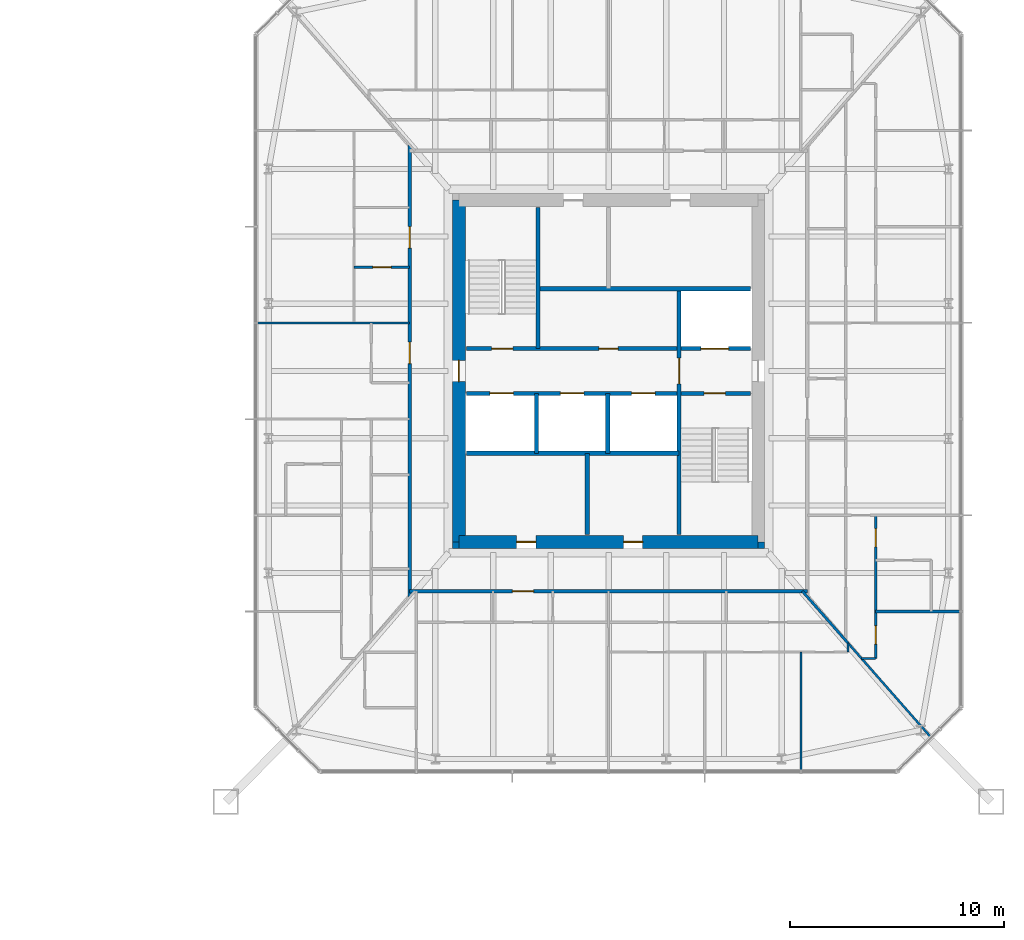
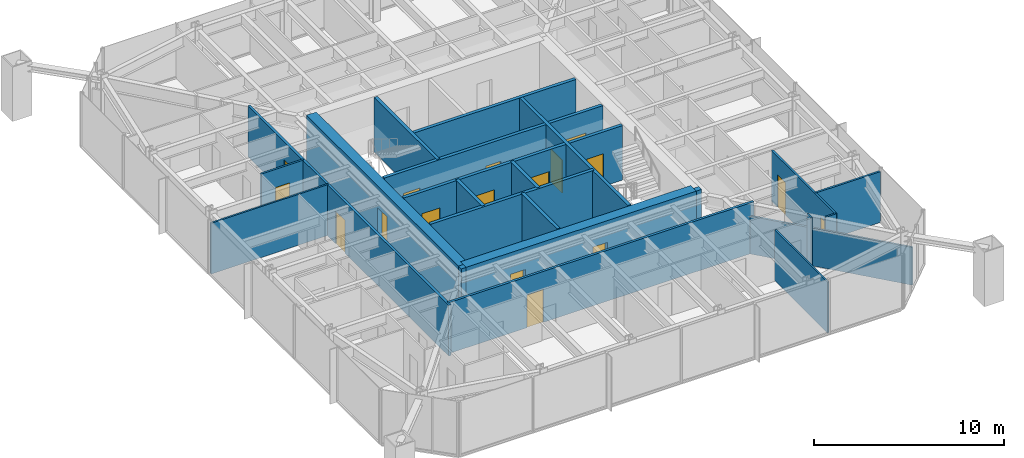
# One storey, part 19 of 26: 24 walls, 17 doors, 17 openings.
"""IFC4 building model written with IfcOpenShell, lengths in metres."""

from ifc_helpers import new_model, si_unit, direction, frame, frame_2d, origin, place, context, subcontext, project, spatial, rectangle, extrude, material, layer, layer_set, type_object, element, fill, save


model = new_model("IFC4")

# Units and contexts
model_context = context("Model", 3, precision=1e-05, world=origin(), true_north=direction((0.0, 1.0)))
body_context = subcontext(model_context, "Body", "Model", "MODEL_VIEW")
ifc_project = project(units=[si_unit("LENGTHUNIT", "METRE"), si_unit("AREAUNIT", "SQUARE_METRE"), si_unit("VOLUMEUNIT", "CUBIC_METRE"), si_unit("PLANEANGLEUNIT", "RADIAN"), si_unit("MASSUNIT", "GRAM", prefix="KILO")], contexts=[model_context])

# Site, building, storey
site_placement = place(None, origin())
site = spatial("IfcSite", under=ifc_project, at=site_placement, CompositionType="ELEMENT")
building_placement = place(site_placement, origin())
building = spatial("IfcBuilding", under=site, at=building_placement, Name="Iwan Alto Co-Living Towers", CompositionType="ELEMENT")
storey_placement = place(building_placement, frame((0.0, 0.0, 50.0)))
storey = spatial("IfcBuildingStorey", under=building, at=storey_placement, Name="L13", CompositionType="ELEMENT", Elevation=50.0)

# Wall, opening, door
ifc_material_1 = material(Name="Gypsum board")
ifc_layer_1 = layer(ifc_material_1, 0.02490234375, Name="Board", Category="Finish")
ifc_material_2 = material(Name="Steel ASTM A1003 ST33H cold-formed studs", Category="steel")
ifc_layer_2 = layer(ifc_material_2, 0.10009765625, Name="Studs", Category="Framing")
ifc_layer_3 = layer(ifc_material_1, 0.02490234375, Name="Board", Category="Finish")
ifc_layer_set_1 = layer_set([ifc_layer_1, ifc_layer_2, ifc_layer_3], Name="CORRIDOR WALL 150")
wall_type_1 = type_object("IfcWallType", Name="CORRIDOR WALL 150", PredefinedType="PARTITIONING", material=ifc_layer_set_1)
wall_1_placement = place(storey_placement, frame((53.699951171875, -10.300048828125, 0.0), z_axis=(0.0, 0.0, 1.0), x_axis=(1.0, 0.0, 0.0)))
wall_1 = element("IfcWall", 1, at=wall_1_placement, inside=storey, type_object=wall_type_1, Name="Partition L13", PredefinedType="PARTITIONING", context=body_context, shape_type="SweptSolid", body=[
    extrude(rectangle(XDim=18.60009765625, YDim=0.14990234375, at=frame_2d((9.300048828125, 0.0))), origin(), (0.0, 0.0, 1.0), 3.27001953125),
])
opening_1_placement = place(wall_1_placement, frame((4.800048828125, 0.0, 0.0)))
opening_1 = element("IfcOpeningElement", 2, at=opening_1_placement, cuts=wall_1, Name="Opening D3", PredefinedType="OPENING", context=body_context, shape_type="SweptSolid", body=[
    extrude(rectangle(XDim=1.0, YDim=2.10009765625, at=frame_2d((0.5, 1.050048828125))), frame((0.0, 0.0849609375, 0.0), z_axis=(0.0, -1.0, 0.0), x_axis=(1.0, 0.0, 0.0)), (0.0, 0.0, 1.0), 0.169921875),
])
ifc_material_3 = material(Name="Steel frame with timber leaf", Category="steel")
door_type_1 = type_object("IfcDoorType", Name="FLAT ENTRANCE DOOR FD30S 1000X2100", OperationType="SINGLE_SWING_LEFT", PredefinedType="DOOR", material=ifc_material_3)
door_1_placement = place(opening_1_placement, frame((1.0, 0.0, 0.0), z_axis=(0.0, 0.0, 1.0), x_axis=(-1.0, 0.0, 0.0)))
door_1 = element("IfcDoor", 3, at=door_1_placement, inside=storey, type_object=door_type_1, Name="Apartment foyer door L13", OperationType="SINGLE_SWING_RIGHT", OverallHeight=2.10009765625, OverallWidth=1.0, PredefinedType="DOOR", context=body_context, shape_type="SweptSolid", body=[
    extrude(rectangle(XDim=1.0, YDim=2.10009765625, at=frame_2d((0.5, 1.050048828125))), frame((0.0, 0.02490234375, 0.0), z_axis=(0.0, -1.0, 0.0), x_axis=(1.0, 0.0, 0.0)), (0.0, 0.0, 1.0), 0.050048828125),
])
fill(opening_1, door_1)

# Wall, openings, doors
wall_2_placement = place(storey_placement, frame((53.699951171875, -10.568115234375, 0.0), z_axis=(0.0, 0.0, 1.0), x_axis=(0.0, 1.0, 0.0)))
wall_2 = element("IfcWall", 4, at=wall_2_placement, inside=storey, type_object=wall_type_1, Name="Partition L13", PredefinedType="PARTITIONING", context=body_context, shape_type="SweptSolid", body=[
    extrude(rectangle(XDim=21.13623046875, YDim=0.14990234375, at=frame_2d((10.568115234375, 0.0))), origin(), (0.0, 0.0, 1.0), 3.27001953125),
])
opening_2_placement = place(wall_2_placement, frame((16.318115234375, 0.0, 0.0)))
opening_2 = element("IfcOpeningElement", 5, at=opening_2_placement, cuts=wall_2, Name="Opening D3", PredefinedType="OPENING", context=body_context, shape_type="SweptSolid", body=[
    extrude(rectangle(XDim=1.0, YDim=2.10009765625, at=frame_2d((0.5, 1.050048828125))), frame((0.0, 0.0849609375, 0.0), z_axis=(0.0, -1.0, 0.0), x_axis=(1.0, 0.0, 0.0)), (0.0, 0.0, 1.0), 0.169921875),
])
opening_3_placement = place(wall_2_placement, frame((10.91796875, 0.0, 0.0)))
opening_3 = element("IfcOpeningElement", 6, at=opening_3_placement, cuts=wall_2, Name="Opening D3", PredefinedType="OPENING", context=body_context, shape_type="SweptSolid", body=[
    extrude(rectangle(XDim=1.0, YDim=2.10009765625, at=frame_2d((0.5, 1.050048828125))), frame((0.0, 0.0849609375, 0.0), z_axis=(0.0, -1.0, 0.0), x_axis=(1.0, 0.0, 0.0)), (0.0, 0.0, 1.0), 0.169921875),
])
door_2_placement = place(opening_2_placement, origin())
door_2 = element("IfcDoor", 7, at=door_2_placement, inside=storey, type_object=door_type_1, Name="Apartment foyer door L13", OperationType="SINGLE_SWING_LEFT", OverallHeight=2.10009765625, OverallWidth=1.0, PredefinedType="DOOR", context=body_context, shape_type="SweptSolid", body=[
    extrude(rectangle(XDim=1.0, YDim=2.10009765625, at=frame_2d((0.5, 1.050048828125))), frame((0.0, 0.02490234375, 0.0), z_axis=(0.0, -1.0, 0.0), x_axis=(1.0, 0.0, 0.0)), (0.0, 0.0, 1.0), 0.050048828125),
])
fill(opening_2, door_2)
door_3_placement = place(opening_3_placement, origin())
door_3 = element("IfcDoor", 8, at=door_3_placement, inside=storey, type_object=door_type_1, Name="Apartment foyer door L13", OperationType="SINGLE_SWING_LEFT", OverallHeight=2.10009765625, OverallWidth=1.0, PredefinedType="DOOR", context=body_context, shape_type="SweptSolid", body=[
    extrude(rectangle(XDim=1.0, YDim=2.10009765625, at=frame_2d((0.5, 1.050048828125))), frame((0.0, 0.02490234375, 0.0), z_axis=(0.0, -1.0, 0.0), x_axis=(1.0, 0.0, 0.0)), (0.0, 0.0, 1.0), 0.050048828125),
])
fill(opening_3, door_3)

# Walls
ifc_layer_4 = layer(ifc_material_1, 0.012451171875, Name="Board", Category="Finish")
ifc_layer_5 = layer(ifc_material_2, 0.074951171875, Name="Studs", Category="Framing")
ifc_layer_6 = layer(ifc_material_1, 0.012451171875, Name="Board", Category="Finish")
ifc_layer_set_2 = layer_set([ifc_layer_4, ifc_layer_5, ifc_layer_6], Name="PARTITION 100")
wall_type_2 = type_object("IfcWallType", Name="PARTITION 100", PredefinedType="PARTITIONING", material=ifc_layer_set_2)
wall_3_placement = place(storey_placement, frame((74.8359375, -13.449951171875, 0.0), z_axis=(0.0, 0.0, 1.0), x_axis=(1.0, 0.0, 0.0)))
element("IfcWall", 9, at=wall_3_placement, inside=storey, type_object=wall_type_2, Name="Partition L13", PredefinedType="PARTITIONING", context=body_context, shape_type="SweptSolid", body=[
    extrude(rectangle(XDim=0.6640625, YDim=0.10009765625, at=frame_2d((0.33203125, 0.0))), origin(), (0.0, 0.0, 1.0), 3.27001953125),
])
wall_4_placement = place(storey_placement, frame((46.56005859375, 2.25, 0.0), z_axis=(0.0, 0.0, 1.0), x_axis=(1.0, 0.0, 0.0)))
element("IfcWall", 10, at=wall_4_placement, inside=storey, type_object=wall_type_2, Name="Partition L13", PredefinedType="PARTITIONING", context=body_context, shape_type="SweptSolid", body=[
    extrude(rectangle(XDim=7.139892578125, YDim=0.10009765625, at=frame_2d((3.56982421875, 0.0))), origin(), (0.0, 0.0, 1.0), 3.27001953125),
])
wall_5_placement = place(storey_placement, frame((74.199951171875, -13.14990234375, 0.0), z_axis=(0.0, 0.0, 1.0), x_axis=(0.0, 1.0, 0.0)))
element("IfcWall", 11, at=wall_5_placement, inside=storey, type_object=wall_type_2, Name="Partition L13", PredefinedType="PARTITIONING", context=body_context, shape_type="SweptSolid", body=[
    extrude(rectangle(XDim=0.4228515625, YDim=0.10009765625, at=frame_2d((0.21142578125, 0.0))), origin(), (0.0, 0.0, 1.0), 3.27001953125),
])
wall_6_placement = place(storey_placement, frame((72.0, -18.68994140625, 0.0), z_axis=(0.0, 0.0, 1.0), x_axis=(0.0, 1.0, 0.0)))
element("IfcWall", 12, at=wall_6_placement, inside=storey, type_object=wall_type_2, Name="Partition L13", PredefinedType="PARTITIONING", context=body_context, shape_type="SweptSolid", body=[
    extrude(rectangle(XDim=5.5400390625, YDim=0.10009765625, at=frame_2d((2.77001953125, 0.0))), origin(), (0.0, 0.0, 1.0), 3.27001953125),
])
wall_7_placement = place(storey_placement, frame((78.056884765625, -17.109130859375, 0.0), z_axis=(0.0, 0.0, 1.0), x_axis=(-0.660698595885, 0.750651294141, 0.0)))
element("IfcWall", 13, at=wall_7_placement, inside=storey, type_object=wall_type_2, Name="Partition L13", PredefinedType="PARTITIONING", context=body_context, shape_type="SweptSolid", body=[
    extrude(rectangle(XDim=5.838134765625, YDim=0.10009765625, at=frame_2d((2.9189453125, 0.0))), origin(), (0.0, 0.0, 1.0), 2.42919921875),
])
ifc_material_4 = material(Name="Concrete f'c 70 MPa", Category="concrete")
ifc_layer_7 = layer(ifc_material_4, 0.199951171875)
ifc_layer_set_3 = layer_set([ifc_layer_7], Name="SHAFT WALL 200")
wall_type_3 = type_object("IfcWallType", Name="SHAFT WALL 200", PredefinedType="SOLIDWALL", material=ifc_layer_set_3)
wall_8_placement = place(storey_placement, frame((56.360107421875, -3.85009765625, 0.0), z_axis=(0.0, 0.0, 1.0), x_axis=(1.0, 0.0, 0.0)))
element("IfcWall", 14, at=wall_8_placement, inside=storey, type_object=wall_type_3, Name="Shaft wall L13", PredefinedType="SOLIDWALL", context=body_context, shape_type="SweptSolid", body=[
    extrude(rectangle(XDim=9.93994140625, YDim=0.199951171875, at=frame_2d((4.969970703125, 0.0))), origin(), (0.0, 0.0, 1.0), 3.5),
])

# Wall, openings, doors
wall_9_placement = place(storey_placement, frame((56.360107421875, -1.050048828125, 0.0), z_axis=(0.0, 0.0, 1.0), x_axis=(1.0, 0.0, 0.0)))
wall_9 = element("IfcWall", 15, at=wall_9_placement, inside=storey, type_object=wall_type_3, Name="Shaft wall L13", PredefinedType="SOLIDWALL", context=body_context, shape_type="SweptSolid", body=[
    extrude(rectangle(XDim=13.27978515625, YDim=0.199951171875, at=frame_2d((6.639892578125, 0.0))), origin(), (0.0, 0.0, 1.0), 3.5),
])
opening_4_placement = place(wall_9_placement, frame((11.110107421875, 0.0, 0.0)))
opening_4 = element("IfcOpeningElement", 16, at=opening_4_placement, cuts=wall_9, Name="Opening D5", PredefinedType="OPENING", context=body_context, shape_type="SweptSolid", body=[
    extrude(rectangle(XDim=1.0, YDim=2.10009765625, at=frame_2d((0.5, 1.050048828125))), frame((0.0, 0.10986328125, 0.0), z_axis=(0.0, -1.0, 0.0), x_axis=(1.0, 0.0, 0.0)), (0.0, 0.0, 1.0), 0.219970703125),
])
opening_5_placement = place(wall_9_placement, frame((1.0869140625, 0.0, 0.0)))
opening_5 = element("IfcOpeningElement", 17, at=opening_5_placement, cuts=wall_9, Name="Opening LD", PredefinedType="OPENING", context=body_context, shape_type="SweptSolid", body=[
    extrude(rectangle(XDim=1.10009765625, YDim=2.10009765625, at=frame_2d((0.550048828125, 1.050048828125))), frame((0.0, 0.10986328125, 0.0), z_axis=(0.0, -1.0, 0.0), x_axis=(1.0, 0.0, 0.0)), (0.0, 0.0, 1.0), 0.219970703125),
])
opening_6_placement = place(wall_9_placement, frame((4.389892578125, 0.0, 0.0)))
opening_6 = element("IfcOpeningElement", 18, at=opening_6_placement, cuts=wall_9, Name="Opening LD", PredefinedType="OPENING", context=body_context, shape_type="SweptSolid", body=[
    extrude(rectangle(XDim=1.10009765625, YDim=2.10009765625, at=frame_2d((0.550048828125, 1.050048828125))), frame((0.0, 0.10986328125, 0.0), z_axis=(0.0, -1.0, 0.0), x_axis=(1.0, 0.0, 0.0)), (0.0, 0.0, 1.0), 0.219970703125),
])
opening_7_placement = place(wall_9_placement, frame((7.72412109375, 0.0, 0.0)))
opening_7 = element("IfcOpeningElement", 19, at=opening_7_placement, cuts=wall_9, Name="Opening LD", PredefinedType="OPENING", context=body_context, shape_type="SweptSolid", body=[
    extrude(rectangle(XDim=1.10009765625, YDim=2.10009765625, at=frame_2d((0.550048828125, 1.050048828125))), frame((0.0, 0.10986328125, 0.0), z_axis=(0.0, -1.0, 0.0), x_axis=(1.0, 0.0, 0.0)), (0.0, 0.0, 1.0), 0.219970703125),
])
ifc_material_5 = material(Name="Steel frame with timber leaf", Category="steel")
door_type_2 = type_object("IfcDoorType", Name="LIFT LANDING DOOR 1100X2100", OperationType="DOUBLE_DOOR_SLIDING", PredefinedType="DOOR", material=ifc_material_5)
door_4_placement = place(opening_5_placement, origin())
door_4 = element("IfcDoor", 20, at=door_4_placement, inside=storey, type_object=door_type_2, Name="Lift P5-1 landing door L13", OperationType="DOUBLE_DOOR_SLIDING", OverallHeight=2.10009765625, OverallWidth=1.10009765625, PredefinedType="DOOR", context=body_context, shape_type="SweptSolid", body=[
    extrude(rectangle(XDim=1.10009765625, YDim=2.10009765625, at=frame_2d((0.550048828125, 1.050048828125))), frame((0.0, 0.02490234375, 0.0), z_axis=(0.0, -1.0, 0.0), x_axis=(1.0, 0.0, 0.0)), (0.0, 0.0, 1.0), 0.050048828125),
])
fill(opening_5, door_4)
door_5_placement = place(opening_6_placement, origin())
door_5 = element("IfcDoor", 21, at=door_5_placement, inside=storey, type_object=door_type_2, Name="Lift P5-2 landing door L13", OperationType="DOUBLE_DOOR_SLIDING", OverallHeight=2.10009765625, OverallWidth=1.10009765625, PredefinedType="DOOR", context=body_context, shape_type="SweptSolid", body=[
    extrude(rectangle(XDim=1.10009765625, YDim=2.10009765625, at=frame_2d((0.550048828125, 1.050048828125))), frame((0.0, 0.02490234375, 0.0), z_axis=(0.0, -1.0, 0.0), x_axis=(1.0, 0.0, 0.0)), (0.0, 0.0, 1.0), 0.050048828125),
])
fill(opening_6, door_5)
door_6_placement = place(opening_7_placement, origin())
door_6 = element("IfcDoor", 22, at=door_6_placement, inside=storey, type_object=door_type_2, Name="Lift P6-3 landing door L13", OperationType="DOUBLE_DOOR_SLIDING", OverallHeight=2.10009765625, OverallWidth=1.10009765625, PredefinedType="DOOR", context=body_context, shape_type="SweptSolid", body=[
    extrude(rectangle(XDim=1.10009765625, YDim=2.10009765625, at=frame_2d((0.550048828125, 1.050048828125))), frame((0.0, 0.02490234375, 0.0), z_axis=(0.0, -1.0, 0.0), x_axis=(1.0, 0.0, 0.0)), (0.0, 0.0, 1.0), 0.050048828125),
])
fill(opening_7, door_6)
ifc_material_6 = material(Name="Steel frame with timber leaf", Category="steel")
door_type_3 = type_object("IfcDoorType", Name="STAIR DOOR FD120S 1000X2100", OperationType="SINGLE_SWING_LEFT", PredefinedType="DOOR", material=ifc_material_6)
door_7_placement = place(opening_4_placement, frame((1.0, 0.0, 0.0), z_axis=(0.0, 0.0, 1.0), x_axis=(-1.0, 0.0, 0.0)))
door_7 = element("IfcDoor", 23, at=door_7_placement, inside=storey, type_object=door_type_3, Name="Stair S2 door L13", OperationType="SINGLE_SWING_RIGHT", OverallHeight=2.10009765625, OverallWidth=1.0, PredefinedType="DOOR", context=body_context, shape_type="SweptSolid", body=[
    extrude(rectangle(XDim=1.0, YDim=2.10009765625, at=frame_2d((0.5, 1.050048828125))), frame((0.0, 0.02490234375, 0.0), z_axis=(0.0, -1.0, 0.0), x_axis=(1.0, 0.0, 0.0)), (0.0, 0.0, 1.0), 0.050048828125),
])
fill(opening_4, door_7)

wall_10_placement = place(storey_placement, frame((56.360107421875, 1.050048828125, 0.0), z_axis=(0.0, 0.0, 1.0), x_axis=(1.0, 0.0, 0.0)))
wall_10 = element("IfcWall", 24, at=wall_10_placement, inside=storey, type_object=wall_type_3, Name="Shaft wall L13", PredefinedType="SOLIDWALL", context=body_context, shape_type="SweptSolid", body=[
    extrude(rectangle(XDim=13.27978515625, YDim=0.199951171875, at=frame_2d((6.639892578125, 0.0))), origin(), (0.0, 0.0, 1.0), 3.5),
])
opening_8_placement = place(wall_10_placement, frame((1.169921875, 0.0, 0.0)))
opening_8 = element("IfcOpeningElement", 25, at=opening_8_placement, cuts=wall_10, Name="Opening D5", PredefinedType="OPENING", context=body_context, shape_type="SweptSolid", body=[
    extrude(rectangle(XDim=1.0, YDim=2.10009765625, at=frame_2d((0.5, 1.050048828125))), frame((0.0, 0.10986328125, 0.0), z_axis=(0.0, -1.0, 0.0), x_axis=(1.0, 0.0, 0.0)), (0.0, 0.0, 1.0), 0.219970703125),
])
opening_9_placement = place(wall_10_placement, frame((6.18994140625, 0.0, 0.0)))
opening_9 = element("IfcOpeningElement", 26, at=opening_9_placement, cuts=wall_10, Name="Opening D8", PredefinedType="OPENING", context=body_context, shape_type="SweptSolid", body=[
    extrude(rectangle(XDim=0.89990234375, YDim=2.10009765625, at=frame_2d((0.449951171875, 1.050048828125))), frame((0.0, 0.10986328125, 0.0), z_axis=(0.0, -1.0, 0.0), x_axis=(1.0, 0.0, 0.0)), (0.0, 0.0, 1.0), 0.219970703125),
])
opening_10_placement = place(wall_10_placement, frame((10.9599609375, 0.0, 0.0)))
opening_10 = element("IfcOpeningElement", 27, at=opening_10_placement, cuts=wall_10, Name="Opening LD2", PredefinedType="OPENING", context=body_context, shape_type="SweptSolid", body=[
    extrude(rectangle(XDim=1.300048828125, YDim=2.10009765625, at=frame_2d((0.64990234375, 1.050048828125))), frame((0.0, 0.10986328125, 0.0), z_axis=(0.0, -1.0, 0.0), x_axis=(1.0, 0.0, 0.0)), (0.0, 0.0, 1.0), 0.219970703125),
])
ifc_material_7 = material(Name="Steel frame with timber leaf", Category="steel")
door_type_4 = type_object("IfcDoorType", Name="LIFT LANDING DOOR 1300X2100", OperationType="SLIDING_TO_LEFT", PredefinedType="DOOR", material=ifc_material_7)
door_8_placement = place(opening_10_placement, origin())
door_8 = element("IfcDoor", 28, at=door_8_placement, inside=storey, type_object=door_type_4, Name="Lift FL2 landing door L13", OperationType="SLIDING_TO_LEFT", OverallHeight=2.10009765625, OverallWidth=1.300048828125, PredefinedType="DOOR", context=body_context, shape_type="SweptSolid", body=[
    extrude(rectangle(XDim=1.300048828125, YDim=2.10009765625, at=frame_2d((0.64990234375, 1.050048828125))), frame((0.0, 0.02490234375, 0.0), z_axis=(0.0, -1.0, 0.0), x_axis=(1.0, 0.0, 0.0)), (0.0, 0.0, 1.0), 0.050048828125),
])
fill(opening_10, door_8)
ifc_material_8 = material(Name="Steel frame with timber leaf", Category="steel")
door_type_5 = type_object("IfcDoorType", Name="RISER DOOR FD120 900X2100", OperationType="SINGLE_SWING_LEFT", PredefinedType="DOOR", material=ifc_material_8)
door_9_placement = place(opening_9_placement, origin())
door_9 = element("IfcDoor", 29, at=door_9_placement, inside=storey, type_object=door_type_5, Name="Riser room door L13", OperationType="SINGLE_SWING_LEFT", OverallHeight=2.10009765625, OverallWidth=0.89990234375, PredefinedType="DOOR", context=body_context, shape_type="SweptSolid", body=[
    extrude(rectangle(XDim=0.89990234375, YDim=2.10009765625, at=frame_2d((0.449951171875, 1.050048828125))), frame((0.0, 0.02490234375, 0.0), z_axis=(0.0, -1.0, 0.0), x_axis=(1.0, 0.0, 0.0)), (0.0, 0.0, 1.0), 0.050048828125),
])
fill(opening_9, door_9)
door_10_placement = place(opening_8_placement, origin())
door_10 = element("IfcDoor", 30, at=door_10_placement, inside=storey, type_object=door_type_3, Name="Stair S1 door L13", OperationType="SINGLE_SWING_RIGHT", OverallHeight=2.10009765625, OverallWidth=1.0, PredefinedType="DOOR", context=body_context, shape_type="SweptSolid", body=[
    extrude(rectangle(XDim=1.0, YDim=2.10009765625, at=frame_2d((0.5, 1.050048828125))), frame((0.0, 0.02490234375, 0.0), z_axis=(0.0, -1.0, 0.0), x_axis=(1.0, 0.0, 0.0)), (0.0, 0.0, 1.0), 0.050048828125),
])
fill(opening_8, door_10)

# Wall
wall_11_placement = place(storey_placement, frame((59.699951171875, 3.85009765625, 0.0), z_axis=(0.0, 0.0, 1.0), x_axis=(1.0, 0.0, 0.0)))
element("IfcWall", 31, at=wall_11_placement, inside=storey, type_object=wall_type_3, Name="Shaft wall L13", PredefinedType="SOLIDWALL", context=body_context, shape_type="SweptSolid", body=[
    extrude(rectangle(XDim=9.93994140625, YDim=0.199951171875, at=frame_2d((4.969970703125, 0.0))), origin(), (0.0, 0.0, 1.0), 3.5),
])

# Wall, opening, door
wall_12_placement = place(storey_placement, frame((66.300048828125, -7.639892578125, 0.0), z_axis=(0.0, 0.0, 1.0), x_axis=(0.0, 1.0, 0.0)))
wall_12 = element("IfcWall", 32, at=wall_12_placement, inside=storey, type_object=wall_type_3, Name="Shaft wall L13", PredefinedType="SOLIDWALL", context=body_context, shape_type="SweptSolid", body=[
    extrude(rectangle(XDim=11.489990234375, YDim=0.199951171875, at=frame_2d((5.7451171875, 0.0))), origin(), (0.0, 0.0, 1.0), 3.5),
])
opening_11_placement = place(wall_12_placement, frame((7.0400390625, 0.0, 0.0)))
opening_11 = element("IfcOpeningElement", 33, at=opening_11_placement, cuts=wall_12, Name="Opening D6", PredefinedType="OPENING", context=body_context, shape_type="SweptSolid", body=[
    extrude(rectangle(XDim=1.199951171875, YDim=2.10009765625, at=frame_2d((0.60009765625, 1.050048828125))), frame((0.0, 0.10986328125, 0.0), z_axis=(0.0, -1.0, 0.0), x_axis=(1.0, 0.0, 0.0)), (0.0, 0.0, 1.0), 0.219970703125),
])
ifc_material_9 = material(Name="Steel frame with timber leaf", Category="steel")
door_type_6 = type_object("IfcDoorType", Name="LOBBY DOOR FD120S 1200X2100", OperationType="SINGLE_SWING_LEFT", PredefinedType="DOOR", material=ifc_material_9)
door_11_placement = place(opening_11_placement, frame((1.199951171875, 0.0, 0.0), z_axis=(0.0, 0.0, 1.0), x_axis=(-1.0, 0.0, 0.0)))
door_11 = element("IfcDoor", 34, at=door_11_placement, inside=storey, type_object=door_type_6, Name="Firefighting lobby door L13", OperationType="SINGLE_SWING_RIGHT", OverallHeight=2.10009765625, OverallWidth=1.199951171875, PredefinedType="DOOR", context=body_context, shape_type="SweptSolid", body=[
    extrude(rectangle(XDim=1.199951171875, YDim=2.10009765625, at=frame_2d((0.60009765625, 1.050048828125))), frame((0.0, 0.02490234375, 0.0), z_axis=(0.0, -1.0, 0.0), x_axis=(1.0, 0.0, 0.0)), (0.0, 0.0, 1.0), 0.050048828125),
])
fill(opening_11, door_11)

# Walls
wall_13_placement = place(storey_placement, frame((62.967041015625, -3.85009765625, 0.0), z_axis=(0.0, 0.0, 1.0), x_axis=(0.0, 1.0, 0.0)))
element("IfcWall", 35, at=wall_13_placement, inside=storey, type_object=wall_type_3, Name="Shaft wall L13", PredefinedType="SOLIDWALL", context=body_context, shape_type="SweptSolid", body=[
    extrude(rectangle(XDim=2.800048828125, YDim=0.199951171875, at=frame_2d((1.39990234375, 0.0))), origin(), (0.0, 0.0, 1.0), 3.5),
])
wall_14_placement = place(storey_placement, frame((62.0, -7.639892578125, 0.0), z_axis=(0.0, 0.0, 1.0), x_axis=(0.0, 1.0, 0.0)))
element("IfcWall", 36, at=wall_14_placement, inside=storey, type_object=wall_type_3, Name="Shaft wall L13", PredefinedType="SOLIDWALL", context=body_context, shape_type="SweptSolid", body=[
    extrude(rectangle(XDim=3.789794921875, YDim=0.199951171875, at=frame_2d((1.89501953125, 0.0))), origin(), (0.0, 0.0, 1.0), 3.5),
])
wall_15_placement = place(storey_placement, frame((59.699951171875, 1.050048828125, 0.0), z_axis=(0.0, 0.0, 1.0), x_axis=(0.0, 1.0, 0.0)))
element("IfcWall", 37, at=wall_15_placement, inside=storey, type_object=wall_type_3, Name="Shaft wall L13", PredefinedType="SOLIDWALL", context=body_context, shape_type="SweptSolid", body=[
    extrude(rectangle(XDim=6.58984375, YDim=0.199951171875, at=frame_2d((3.294921875, 0.0))), origin(), (0.0, 0.0, 1.0), 3.5),
])
wall_16_placement = place(storey_placement, frame((59.633056640625, -3.85009765625, 0.0), z_axis=(0.0, 0.0, 1.0), x_axis=(0.0, 1.0, 0.0)))
element("IfcWall", 38, at=wall_16_placement, inside=storey, type_object=wall_type_3, Name="Shaft wall L13", PredefinedType="SOLIDWALL", context=body_context, shape_type="SweptSolid", body=[
    extrude(rectangle(XDim=2.800048828125, YDim=0.199951171875, at=frame_2d((1.39990234375, 0.0))), origin(), (0.0, 0.0, 1.0), 3.5),
])
ifc_material_10 = material(Name="Concrete f'c 70 MPa", Category="concrete")
ifc_layer_8 = layer(ifc_material_10, 0.300048828125)
ifc_layer_set_4 = layer_set([ifc_layer_8], Name="T2 CORE CORNER FILL 300")
wall_type_4 = type_object("IfcWallType", Name="T2 CORE CORNER FILL 300", PredefinedType="SOLIDWALL", material=ifc_layer_set_4)
for number, where, z_axis, x_axis, name in (
    (39, (55.699951171875, -8.14990234375, 0.0), (0.0, 0.0, 1.0), (1.0, 0.0, 0.0), "T2 core corner SW L13"),
    (40, (70.0, -8.14990234375, 0.0), (0.0, 0.0, 1.0), (1.0, 0.0, 0.0), "T2 core corner SE L13"),
):
    element("IfcWall", number, at=place(storey_placement, frame(where, z_axis=z_axis, x_axis=x_axis)), inside=storey, type_object=wall_type_4, Name=name, PredefinedType="SOLIDWALL", context=body_context, shape_type="SweptSolid", body=[
        extrude(rectangle(XDim=0.300048828125, YDim=0.300048828125, at=frame_2d((0.14990234375, 0.0))), origin(), (0.0, 0.0, 1.0), 3.5),
    ])

# Wall, openings, doors
ifc_material_11 = material(Name="Concrete f'c 70 MPa", Category="concrete")
ifc_layer_9 = layer(ifc_material_11, 0.60009765625)
ifc_layer_set_5 = layer_set([ifc_layer_9], Name="T2 CORE WALL 600")
wall_type_5 = type_object("IfcWallType", Name="T2 CORE WALL 600", PredefinedType="SHEAR", material=ifc_layer_set_5)
wall_17_placement = place(storey_placement, frame((56.0, -8.0, 0.0), z_axis=(0.0, 0.0, 1.0), x_axis=(1.0, 0.0, 0.0)))
wall_17 = element("IfcWall", 41, at=wall_17_placement, inside=storey, type_object=wall_type_5, Name="T2 core wall S L13", PredefinedType="SHEAR", context=body_context, shape_type="SweptSolid", body=[
    extrude(rectangle(XDim=14.0, YDim=0.60009765625, at=frame_2d((7.0, 0.0))), origin(), (0.0, 0.0, 1.0), 3.5),
])
opening_12_placement = place(wall_17_placement, frame((2.699951171875, 0.0, 0.0)))
opening_12 = element("IfcOpeningElement", 42, at=opening_12_placement, cuts=wall_17, Name="Opening D8", PredefinedType="OPENING", context=body_context, shape_type="SweptSolid", body=[
    extrude(rectangle(XDim=0.89990234375, YDim=2.10009765625, at=frame_2d((0.449951171875, 1.050048828125))), frame((0.0, 0.31005859375, 0.0), z_axis=(0.0, -1.0, 0.0), x_axis=(1.0, 0.0, 0.0)), (0.0, 0.0, 1.0), 0.6201171875),
])
opening_13_placement = place(wall_17_placement, frame((7.699951171875, 0.0, 0.0)))
opening_13 = element("IfcOpeningElement", 43, at=opening_13_placement, cuts=wall_17, Name="Opening D8", PredefinedType="OPENING", context=body_context, shape_type="SweptSolid", body=[
    extrude(rectangle(XDim=0.89990234375, YDim=2.10009765625, at=frame_2d((0.449951171875, 1.050048828125))), frame((0.0, 0.31005859375, 0.0), z_axis=(0.0, -1.0, 0.0), x_axis=(1.0, 0.0, 0.0)), (0.0, 0.0, 1.0), 0.6201171875),
])
door_12_placement = place(opening_12_placement, origin())
door_12 = element("IfcDoor", 44, at=door_12_placement, inside=storey, type_object=door_type_5, Name="Refuse room core door L13", OperationType="SINGLE_SWING_LEFT", OverallHeight=2.10009765625, OverallWidth=0.89990234375, PredefinedType="DOOR", context=body_context, shape_type="SweptSolid", body=[
    extrude(rectangle(XDim=0.89990234375, YDim=2.10009765625, at=frame_2d((0.449951171875, 1.050048828125))), frame((0.0, 0.02490234375, 0.0), z_axis=(0.0, -1.0, 0.0), x_axis=(1.0, 0.0, 0.0)), (0.0, 0.0, 1.0), 0.050048828125),
])
fill(opening_12, door_12)
door_13_placement = place(opening_13_placement, origin())
door_13 = element("IfcDoor", 45, at=door_13_placement, inside=storey, type_object=door_type_5, Name="Telecom riser core door L13", OperationType="SINGLE_SWING_LEFT", OverallHeight=2.10009765625, OverallWidth=0.89990234375, PredefinedType="DOOR", context=body_context, shape_type="SweptSolid", body=[
    extrude(rectangle(XDim=0.89990234375, YDim=2.10009765625, at=frame_2d((0.449951171875, 1.050048828125))), frame((0.0, 0.02490234375, 0.0), z_axis=(0.0, -1.0, 0.0), x_axis=(1.0, 0.0, 0.0)), (0.0, 0.0, 1.0), 0.050048828125),
])
fill(opening_13, door_13)

# Wall, opening, door
wall_18_placement = place(storey_placement, frame((56.0, 8.0, 0.0), z_axis=(0.0, 0.0, 1.0), x_axis=(0.0, -1.0, 0.0)))
wall_18 = element("IfcWall", 46, at=wall_18_placement, inside=storey, type_object=wall_type_5, Name="T2 core wall W L13", PredefinedType="SHEAR", context=body_context, shape_type="SweptSolid", body=[
    extrude(rectangle(XDim=16.0, YDim=0.60009765625, at=frame_2d((8.0, 0.0))), origin(), (0.0, 0.0, 1.0), 3.5),
])
opening_14_placement = place(wall_18_placement, frame((7.5, 0.0, 0.0)))
opening_14 = element("IfcOpeningElement", 47, at=opening_14_placement, cuts=wall_18, Name="Opening D7", PredefinedType="OPENING", context=body_context, shape_type="SweptSolid", body=[
    extrude(rectangle(XDim=1.0, YDim=2.10009765625, at=frame_2d((0.5, 1.050048828125))), frame((0.0, 0.31005859375, 0.0), z_axis=(0.0, -1.0, 0.0), x_axis=(1.0, 0.0, 0.0)), (0.0, 0.0, 1.0), 0.6201171875),
])
ifc_material_12 = material(Name="Steel frame with timber leaf", Category="steel")
door_type_7 = type_object("IfcDoorType", Name="CORE DOOR FD120S 1000X2100", OperationType="SINGLE_SWING_LEFT", PredefinedType="DOOR", material=ifc_material_12)
door_14_placement = place(opening_14_placement, origin())
door_14 = element("IfcDoor", 48, at=door_14_placement, inside=storey, type_object=door_type_7, Name="Lift lobby core door L13", OperationType="SINGLE_SWING_RIGHT", OverallHeight=2.10009765625, OverallWidth=1.0, PredefinedType="DOOR", context=body_context, shape_type="SweptSolid", body=[
    extrude(rectangle(XDim=1.0, YDim=2.10009765625, at=frame_2d((0.5, 1.050048828125))), frame((0.0, 0.02490234375, 0.0), z_axis=(0.0, -1.0, 0.0), x_axis=(1.0, 0.0, 0.0)), (0.0, 0.0, 1.0), 0.050048828125),
])
fill(opening_14, door_14)

# Wall
ifc_material_13 = material(Name="Cement board")
ifc_layer_10 = layer(ifc_material_13, 0.012451171875, Name="Board", Category="Finish")
ifc_layer_11 = layer(ifc_material_2, 0.094970703125, Name="Studs", Category="Framing")
ifc_layer_12 = layer(ifc_material_13, 0.012451171875, Name="Board", Category="Finish")
ifc_layer_set_6 = layer_set([ifc_layer_10, ifc_layer_11, ifc_layer_12], Name="WET AREA PARTITION 120")
wall_type_6 = type_object("IfcWallType", Name="WET AREA PARTITION 120", PredefinedType="PARTITIONING", material=ifc_layer_set_6)
wall_19_placement = place(storey_placement, frame((75.5, -11.25, 0.0), z_axis=(0.0, 0.0, 1.0), x_axis=(1.0, 0.0, 0.0)))
element("IfcWall", 49, at=wall_19_placement, inside=storey, type_object=wall_type_6, Name="Partition L13", PredefinedType="PARTITIONING", context=body_context, shape_type="SweptSolid", body=[
    extrude(rectangle(XDim=3.93994140625, YDim=0.1201171875, at=frame_2d((1.969970703125, 0.0))), origin(), (0.0, 0.0, 1.0), 3.27001953125),
])

# Wall, opening, door
wall_20_placement = place(storey_placement, frame((51.10009765625, 4.85009765625, 0.0), z_axis=(0.0, 0.0, 1.0), x_axis=(1.0, 0.0, 0.0)))
wall_20 = element("IfcWall", 50, at=wall_20_placement, inside=storey, type_object=wall_type_6, Name="Partition L13", PredefinedType="PARTITIONING", context=body_context, shape_type="SweptSolid", body=[
    extrude(rectangle(XDim=2.599853515625, YDim=0.1201171875, at=frame_2d((1.2998046875, 0.0))), origin(), (0.0, 0.0, 1.0), 3.27001953125),
])
opening_15_placement = place(wall_20_placement, frame((0.875, 0.0, 0.0)))
opening_15 = element("IfcOpeningElement", 51, at=opening_15_placement, cuts=wall_20, Name="Opening D2", PredefinedType="OPENING", context=body_context, shape_type="SweptSolid", body=[
    extrude(rectangle(XDim=0.85009765625, YDim=2.10009765625, at=frame_2d((0.425048828125, 1.050048828125))), frame((0.0, 0.070068359375, 0.0), z_axis=(0.0, -1.0, 0.0), x_axis=(1.0, 0.0, 0.0)), (0.0, 0.0, 1.0), 0.14013671875),
])
ifc_material_14 = material(Name="Timber leaf in steel frame", Category="steel")
door_type_8 = type_object("IfcDoorType", Name="ROOM DOOR 850X2100", OperationType="SINGLE_SWING_LEFT", PredefinedType="DOOR", material=ifc_material_14)
door_15_placement = place(opening_15_placement, frame((0.85009765625, 0.0, 0.0), z_axis=(0.0, 0.0, 1.0), x_axis=(-1.0, 0.0, 0.0)))
door_15 = element("IfcDoor", 52, at=door_15_placement, inside=storey, type_object=door_type_8, Name="Bathroom door L13", OperationType="SINGLE_SWING_RIGHT", OverallHeight=2.10009765625, OverallWidth=0.85009765625, PredefinedType="DOOR", context=body_context, shape_type="SweptSolid", body=[
    extrude(rectangle(XDim=0.85009765625, YDim=2.10009765625, at=frame_2d((0.425048828125, 1.050048828125))), frame((0.0, 0.02490234375, 0.0), z_axis=(0.0, -1.0, 0.0), x_axis=(1.0, 0.0, 0.0)), (0.0, 0.0, 1.0), 0.050048828125),
])
fill(opening_15, door_15)

# Wall, openings, doors
wall_21_placement = place(storey_placement, frame((75.5, -13.449951171875, 0.0), z_axis=(0.0, 0.0, 1.0), x_axis=(0.0, 1.0, 0.0)))
wall_21 = element("IfcWall", 53, at=wall_21_placement, inside=storey, type_object=wall_type_6, Name="Partition L13", PredefinedType="PARTITIONING", context=body_context, shape_type="SweptSolid", body=[
    extrude(rectangle(XDim=6.699951171875, YDim=0.1201171875, at=frame_2d((3.35009765625, 0.0))), origin(), (0.0, 0.0, 1.0), 3.27001953125),
])
opening_16_placement = place(wall_21_placement, frame((5.22509765625, 0.0, 0.0)))
opening_16 = element("IfcOpeningElement", 54, at=opening_16_placement, cuts=wall_21, Name="Opening D2", PredefinedType="OPENING", context=body_context, shape_type="SweptSolid", body=[
    extrude(rectangle(XDim=0.85009765625, YDim=2.10009765625, at=frame_2d((0.425048828125, 1.050048828125))), frame((0.0, 0.070068359375, 0.0), z_axis=(0.0, -1.0, 0.0), x_axis=(1.0, 0.0, 0.0)), (0.0, 0.0, 1.0), 0.14013671875),
])
opening_17_placement = place(wall_21_placement, frame((0.675048828125, 0.0, 0.0)))
opening_17 = element("IfcOpeningElement", 55, at=opening_17_placement, cuts=wall_21, Name="Opening D2", PredefinedType="OPENING", context=body_context, shape_type="SweptSolid", body=[
    extrude(rectangle(XDim=0.85009765625, YDim=2.10009765625, at=frame_2d((0.425048828125, 1.050048828125))), frame((0.0, 0.070068359375, 0.0), z_axis=(0.0, -1.0, 0.0), x_axis=(1.0, 0.0, 0.0)), (0.0, 0.0, 1.0), 0.14013671875),
])
door_16_placement = place(opening_16_placement, frame((0.85009765625, 0.0, 0.0), z_axis=(0.0, 0.0, 1.0), x_axis=(-1.0, 0.0, 0.0)))
door_16 = element("IfcDoor", 56, at=door_16_placement, inside=storey, type_object=door_type_8, Name="Bedroom door L13", OperationType="SINGLE_SWING_RIGHT", OverallHeight=2.10009765625, OverallWidth=0.85009765625, PredefinedType="DOOR", context=body_context, shape_type="SweptSolid", body=[
    extrude(rectangle(XDim=0.85009765625, YDim=2.10009765625, at=frame_2d((0.425048828125, 1.050048828125))), frame((0.0, 0.02490234375, 0.0), z_axis=(0.0, -1.0, 0.0), x_axis=(1.0, 0.0, 0.0)), (0.0, 0.0, 1.0), 0.050048828125),
])
fill(opening_16, door_16)
door_17_placement = place(opening_17_placement, frame((0.85009765625, 0.0, 0.0), z_axis=(0.0, 0.0, 1.0), x_axis=(-1.0, 0.0, 0.0)))
door_17 = element("IfcDoor", 57, at=door_17_placement, inside=storey, type_object=door_type_8, Name="Bedroom door L13", OperationType="SINGLE_SWING_LEFT", OverallHeight=2.10009765625, OverallWidth=0.85009765625, PredefinedType="DOOR", context=body_context, shape_type="SweptSolid", body=[
    extrude(rectangle(XDim=0.85009765625, YDim=2.10009765625, at=frame_2d((0.425048828125, 1.050048828125))), frame((0.0, 0.02490234375, 0.0), z_axis=(0.0, -1.0, 0.0), x_axis=(1.0, 0.0, 0.0)), (0.0, 0.0, 1.0), 0.050048828125),
])
fill(opening_17, door_17)

# Wall
wall_22_placement = place(storey_placement, frame((74.199951171875, -12.72705078125, 0.0), z_axis=(0.0, 0.0, 1.0), x_axis=(-0.660667046586, 0.75067906162, 0.0)))
element("IfcWall", 58, at=wall_22_placement, inside=storey, type_object=wall_type_6, Name="Partition L13", PredefinedType="PARTITIONING", context=body_context, shape_type="SweptSolid", body=[
    extrude(rectangle(XDim=3.233154296875, YDim=0.1201171875, at=frame_2d((1.61669921875, 0.0))), origin(), (0.0, 0.0, 1.0), 2.42919921875),
])

save(model, "model.ifc")
